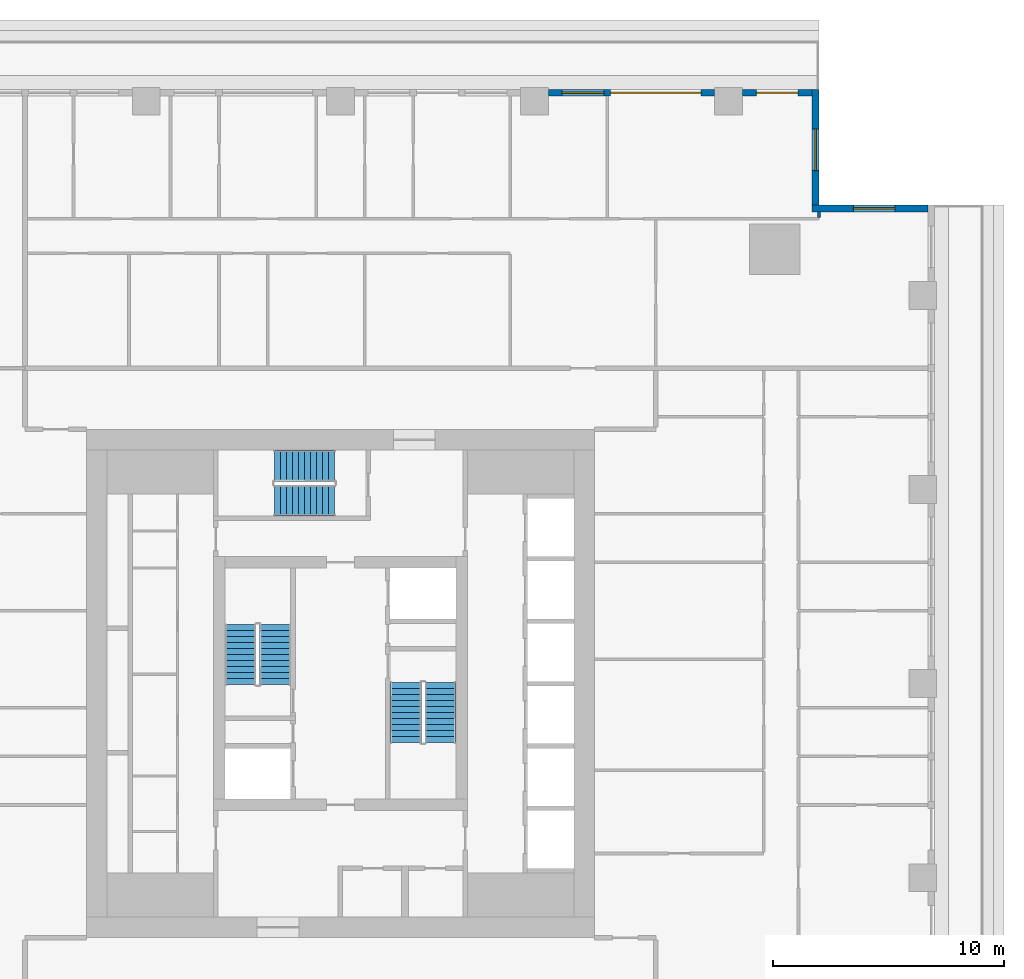
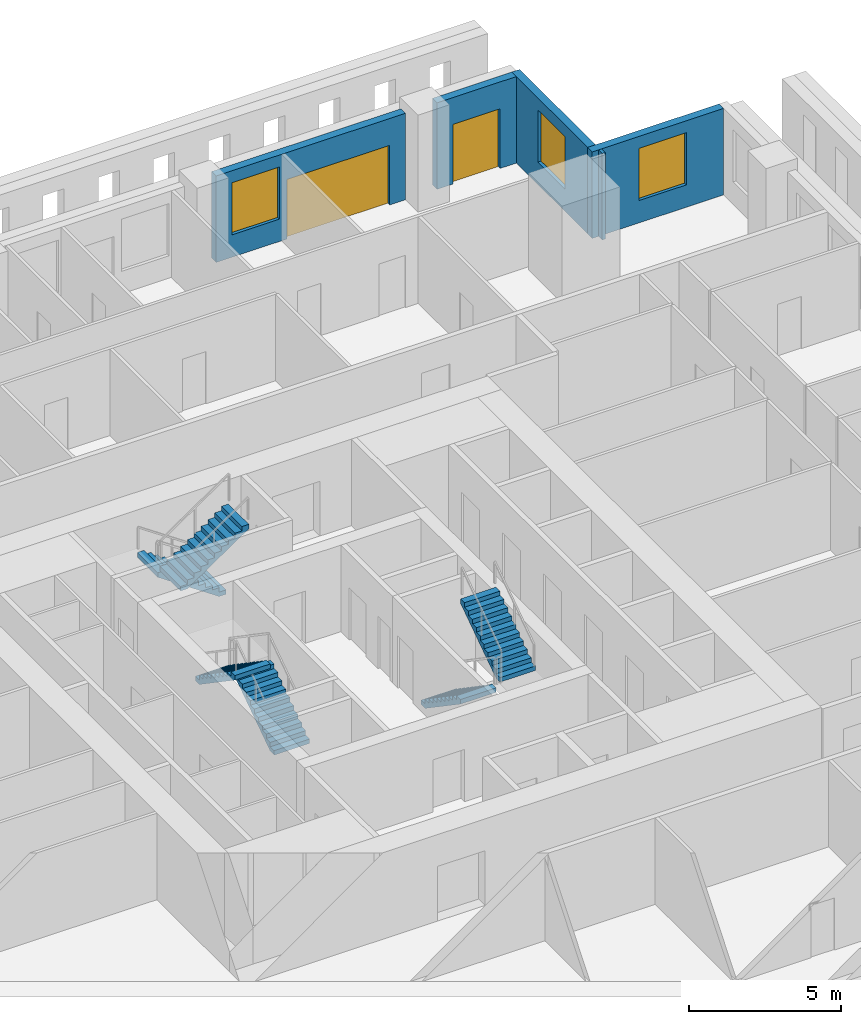
# One storey, part 9 of 14: 6 stair flights, 5 walls, 3 windows, 2 doors, 5 openings, 3 elements without a shape of their own.
"""IFC4 building model written with IfcOpenShell, lengths in metres."""

from ifc_helpers import new_model, si_unit, direction, frame, frame_2d, origin, place, context, subcontext, project, spatial, polyline, rectangle, outline, extrude, material, layer, layer_set, type_object, element, fill, aggregate, save


model = new_model("IFC4")

# Units and contexts
model_context = context("Model", 3, precision=1e-05, world=origin(), true_north=direction((0.0, 1.0)))
body_context = subcontext(model_context, "Body", "Model", "MODEL_VIEW")
ifc_project = project(units=[si_unit("LENGTHUNIT", "METRE"), si_unit("AREAUNIT", "SQUARE_METRE"), si_unit("VOLUMEUNIT", "CUBIC_METRE"), si_unit("PLANEANGLEUNIT", "RADIAN"), si_unit("MASSUNIT", "GRAM", prefix="KILO")], contexts=[model_context])

# Site, building, storey
site_placement = place(None, origin())
site = spatial("IfcSite", under=ifc_project, at=site_placement, CompositionType="ELEMENT")
building_placement = place(site_placement, origin())
building = spatial("IfcBuilding", under=site, at=building_placement, Name="Khepri Terraces", CompositionType="ELEMENT")
storey_placement = place(building_placement, frame((0.0, 0.0, 275.699951171875)))
storey = spatial("IfcBuildingStorey", under=building, at=storey_placement, Name="L66", CompositionType="ELEMENT", Elevation=275.699951171875)

# Wall, opening, window
ifc_material_1 = material(Name="Precast concrete C50/60 warm stone", Category="masonry")
ifc_layer_1 = layer(ifc_material_1, 0.300048828125, Name="Precast concrete C50/60 warm stone", Category="masonry")
ifc_layer_set_1 = layer_set([ifc_layer_1], Name="Precast concrete C50/60 warm stone")
wall_type_1 = type_object("IfcWallType", Name="WL-EXT-PRECAST-300", PredefinedType="STANDARD", material=ifc_layer_set_1)
wall_1_placement = place(storey_placement, frame((25.419921875, 20.570068359375, 0.0), z_axis=(0.0, 0.0, 1.0), x_axis=(-1.0, 0.0, 0.0)))
wall_1 = element("IfcWall", 1, at=wall_1_placement, inside=storey, type_object=wall_type_1, Name="External wall L66 N", PredefinedType="STANDARD", context=body_context, shape_type="SweptSolid", body=[
    extrude(rectangle(XDim=5.0, YDim=0.300048828125, at=frame_2d((2.5, 0.0))), origin(), (0.0, 0.0, 1.0), 3.47998046875),
])
opening_1_placement = place(wall_1_placement, frame((1.419921875, 0.0, 0.89990234375)))
opening_1 = element("IfcOpeningElement", 2, at=opening_1_placement, cuts=wall_1, Name="Opening W1", PredefinedType="OPENING", context=body_context, shape_type="SweptSolid", body=[
    extrude(rectangle(XDim=1.800048828125, YDim=2.10009765625, at=frame_2d((0.89990234375, 1.050048828125))), frame((0.0, 0.16015625, 0.0), z_axis=(0.0, -1.0, 0.0), x_axis=(1.0, 0.0, 0.0)), (0.0, 0.0, 1.0), 0.320068359375),
])
ifc_material_2 = material(Name="Clear glass", Category="glass")
window_type = type_object("IfcWindowType", Name="WIN-RES-1800x2100", PartitioningType="SINGLE_PANEL", PredefinedType="WINDOW", material=ifc_material_2)
window_1_placement = place(opening_1_placement, origin())
window_1 = element("IfcWindow", 3, at=window_1_placement, inside=storey, type_object=window_type, Name="Window L66 N", OverallHeight=2.10009765625, OverallWidth=1.800048828125, PartitioningType="SINGLE_PANEL", PredefinedType="WINDOW", context=body_context, shape_type="SweptSolid", body=[
    extrude(rectangle(XDim=1.800048828125, YDim=2.10009765625, at=frame_2d((0.89990234375, 1.050048828125))), frame((0.0, 0.030029296875, 0.0), z_axis=(0.0, -1.0, 0.0), x_axis=(1.0, 0.0, 0.0)), (0.0, 0.0, 1.0), 0.06005859375),
])
fill(opening_1, window_1)

wall_2_placement = place(storey_placement, frame((20.570068359375, 20.719970703125, 0.0), z_axis=(0.0, 0.0, 1.0), x_axis=(0.0, 1.0, 0.0)))
wall_2 = element("IfcWall", 4, at=wall_2_placement, inside=storey, type_object=wall_type_1, Name="External wall L66 E", PredefinedType="STANDARD", context=body_context, shape_type="SweptSolid", body=[
    extrude(rectangle(XDim=5.0, YDim=0.300048828125, at=frame_2d((2.5, 0.0))), origin(), (0.0, 0.0, 1.0), 3.47998046875),
])
opening_2_placement = place(wall_2_placement, frame((1.47998046875, 0.0, 0.89990234375)))
opening_2 = element("IfcOpeningElement", 5, at=opening_2_placement, cuts=wall_2, Name="Opening W1", PredefinedType="OPENING", context=body_context, shape_type="SweptSolid", body=[
    extrude(rectangle(XDim=1.800048828125, YDim=2.10009765625, at=frame_2d((0.89990234375, 1.050048828125))), frame((0.0, 0.16015625, 0.0), z_axis=(0.0, -1.0, 0.0), x_axis=(1.0, 0.0, 0.0)), (0.0, 0.0, 1.0), 0.320068359375),
])
window_2_placement = place(opening_2_placement, origin())
window_2 = element("IfcWindow", 6, at=window_2_placement, inside=storey, type_object=window_type, Name="Window L66 E", OverallHeight=2.10009765625, OverallWidth=1.800048828125, PartitioningType="SINGLE_PANEL", PredefinedType="WINDOW", context=body_context, shape_type="SweptSolid", body=[
    extrude(rectangle(XDim=1.800048828125, YDim=2.10009765625, at=frame_2d((0.89990234375, 1.050048828125))), frame((0.0, 0.030029296875, 0.0), z_axis=(0.0, -1.0, 0.0), x_axis=(1.0, 0.0, 0.0)), (0.0, 0.0, 1.0), 0.06005859375),
])
fill(opening_2, window_2)

# Wall, opening, door
wall_3_placement = place(storey_placement, frame((20.419921875, 25.570068359375, 0.0), z_axis=(0.0, 0.0, 1.0), x_axis=(-1.0, 0.0, 0.0)))
wall_3 = element("IfcWall", 7, at=wall_3_placement, inside=storey, type_object=wall_type_1, Name="External wall L66 N", PredefinedType="STANDARD", context=body_context, shape_type="SweptSolid", body=[
    extrude(rectangle(XDim=3.02001953125, YDim=0.300048828125, at=frame_2d((1.510009765625, 0.0))), origin(), (0.0, 0.0, 1.0), 3.47998046875),
])
opening_3_placement = place(wall_3_placement, frame((0.6201171875, 0.0, 0.0)))
opening_3 = element("IfcOpeningElement", 8, at=opening_3_placement, cuts=wall_3, Name="Opening ED-L66-05", PredefinedType="OPENING", context=body_context, shape_type="SweptSolid", body=[
    extrude(rectangle(XDim=1.800048828125, YDim=2.39990234375, at=frame_2d((0.89990234375, 1.199951171875))), frame((0.0, 0.16015625, 0.0), z_axis=(0.0, -1.0, 0.0), x_axis=(1.0, 0.0, 0.0)), (0.0, 0.0, 1.0), 0.320068359375),
])
ifc_material_3 = material(Name="Anodised aluminium bronze glazed door", Category="aluminium")
door_type_1 = type_object("IfcDoorType", Name="DR-BAL-SLIDE-1800x2400", OperationType="NOTDEFINED", PredefinedType="DOOR", material=ifc_material_3)
door_1_placement = place(opening_3_placement, origin())
door_1 = element("IfcDoor", 9, at=door_1_placement, inside=storey, type_object=door_type_1, Name="Balcony door L66 N", OperationType="SLIDING_TO_RIGHT", OverallHeight=2.39990234375, OverallWidth=1.800048828125, PredefinedType="DOOR", context=body_context, shape_type="SweptSolid", body=[
    extrude(rectangle(XDim=1.800048828125, YDim=2.39990234375, at=frame_2d((0.89990234375, 1.199951171875))), frame((0.0, 0.02490234375, 0.0), z_axis=(0.0, -1.0, 0.0), x_axis=(1.0, 0.0, 0.0)), (0.0, 0.0, 1.0), 0.050048828125),
])
fill(opening_3, door_1)

# Wall, openings, door, window
wall_4_placement = place(storey_placement, frame((16.199951171875, 25.570068359375, 0.0), z_axis=(0.0, 0.0, 1.0), x_axis=(-1.0, 0.0, 0.0)))
wall_4 = element("IfcWall", 10, at=wall_4_placement, inside=storey, type_object=wall_type_1, Name="External wall L66 N", PredefinedType="STANDARD", context=body_context, shape_type="SweptSolid", body=[
    extrude(rectangle(XDim=7.199951171875, YDim=0.300048828125, at=frame_2d((3.60009765625, 0.0))), origin(), (0.0, 0.0, 1.0), 3.47998046875),
])
opening_4_placement = place(wall_4_placement, frame((0.60009765625, 0.0, 0.0)))
opening_4 = element("IfcOpeningElement", 11, at=opening_4_placement, cuts=wall_4, Name="Opening ED-L66-06", PredefinedType="OPENING", context=body_context, shape_type="SweptSolid", body=[
    extrude(rectangle(XDim=3.89990234375, YDim=2.39990234375, at=frame_2d((1.949951171875, 1.199951171875))), frame((0.0, 0.16015625, 0.0), z_axis=(0.0, -1.0, 0.0), x_axis=(1.0, 0.0, 0.0)), (0.0, 0.0, 1.0), 0.320068359375),
])
opening_5_placement = place(wall_4_placement, frame((4.800048828125, 0.0, 0.89990234375)))
opening_5 = element("IfcOpeningElement", 12, at=opening_5_placement, cuts=wall_4, Name="Opening W1", PredefinedType="OPENING", context=body_context, shape_type="SweptSolid", body=[
    extrude(rectangle(XDim=1.800048828125, YDim=2.10009765625, at=frame_2d((0.89990234375, 1.050048828125))), frame((0.0, 0.16015625, 0.0), z_axis=(0.0, -1.0, 0.0), x_axis=(1.0, 0.0, 0.0)), (0.0, 0.0, 1.0), 0.320068359375),
])
door_type_2 = type_object("IfcDoorType", Name="DR-BAL-SLIDE-3900x2400", OperationType="NOTDEFINED", PredefinedType="DOOR", material=ifc_material_3)
door_2_placement = place(opening_4_placement, origin())
door_2 = element("IfcDoor", 13, at=door_2_placement, inside=storey, type_object=door_type_2, Name="Balcony door L66 N", OperationType="SLIDING_TO_LEFT", OverallHeight=2.39990234375, OverallWidth=3.89990234375, PredefinedType="DOOR", context=body_context, shape_type="SweptSolid", body=[
    extrude(rectangle(XDim=3.89990234375, YDim=2.39990234375, at=frame_2d((1.949951171875, 1.199951171875))), frame((0.0, 0.02490234375, 0.0), z_axis=(0.0, -1.0, 0.0), x_axis=(1.0, 0.0, 0.0)), (0.0, 0.0, 1.0), 0.050048828125),
])
fill(opening_4, door_2)
window_3_placement = place(opening_5_placement, origin())
window_3 = element("IfcWindow", 14, at=window_3_placement, inside=storey, type_object=window_type, Name="Window L66 N", OverallHeight=2.10009765625, OverallWidth=1.800048828125, PartitioningType="SINGLE_PANEL", PredefinedType="WINDOW", context=body_context, shape_type="SweptSolid", body=[
    extrude(rectangle(XDim=1.800048828125, YDim=2.10009765625, at=frame_2d((0.89990234375, 1.050048828125))), frame((0.0, 0.030029296875, 0.0), z_axis=(0.0, -1.0, 0.0), x_axis=(1.0, 0.0, 0.0)), (0.0, 0.0, 1.0), 0.06005859375),
])
fill(opening_5, window_3)

# Wall
ifc_material_4 = material(Name="Gypsum plasterboard partition")
ifc_layer_2 = layer(ifc_material_4, 0.1201171875, Name="Gypsum plasterboard partition")
ifc_layer_set_2 = layer_set([ifc_layer_2], Name="Gypsum plasterboard partition")
wall_type_2 = type_object("IfcWallType", Name="WL-PART-120", PredefinedType="PARTITIONING", material=ifc_layer_set_2)
wall_5_placement = place(storey_placement, frame((20.718994140625, 20.179931640625, 0.0), z_axis=(0.0, 0.0, 1.0), x_axis=(0.0, 1.0, 0.0)))
element("IfcWall", 15, at=wall_5_placement, inside=storey, type_object=wall_type_2, Name="Partition P-099 L66", PredefinedType="PARTITIONING", context=body_context, shape_type="SweptSolid", body=[
    extrude(rectangle(XDim=0.240966796875, YDim=0.1201171875, at=frame_2d((0.12060546875, 0.0))), origin(), (0.0, 0.0, 1.0), 3.47998046875),
])

# Stair, stair flights
ifc_material_5 = material(Name="Concrete C40/50", Category="concrete")
stair_type = type_object("IfcStairType", Name="STAIR-RC-22R", PredefinedType="HALF_TURN_STAIR", material=ifc_material_5)
stair_1_placement = place(storey_placement, origin())
stair_1 = element("IfcStair", 16, at=stair_1_placement, inside=storey, type_object=stair_type, Name="L66 Exit Stair ST-1", PredefinedType="HALF_TURN_STAIR")
stair_flight_type = type_object("IfcStairFlightType", Name="SFL-RC-177.3", PredefinedType="STRAIGHT", material=ifc_material_5)
stair_flight_1_placement = place(storey_placement, frame((-2.824951171875, -0.050048828125, 0.0), z_axis=(0.0, 0.0, 1.0), x_axis=(0.0, 1.0, 0.0)))
stair_flight_1 = element("IfcStairFlight", 17, at=stair_flight_1_placement, type_object=stair_flight_type, Name="ST-1 flight 1", NumberOfRisers=11, NumberOfTreads=10, PredefinedType="STRAIGHT", RiserHeight=0.177272727, TreadLength=0.26, context=body_context, shape_type="SweptSolid", body=[
    extrude(outline(polyline([(0.0, 0.0), (0.0, 0.17724609375), (0.260009765625, 0.17724609375), (0.260009765625, 0.3544921875), (0.52001953125, 0.3544921875), (0.52001953125, 0.53173828125), (0.780029296875, 0.53173828125), (0.780029296875, 0.708984375), (1.0400390625, 0.708984375), (1.0400390625, 0.886474609375), (1.300048828125, 0.886474609375), (1.300048828125, 1.063720703125), (1.56005859375, 1.063720703125), (1.56005859375, 1.240966796875), (1.820068359375, 1.240966796875), (1.820068359375, 1.418212890625), (2.080078125, 1.418212890625), (2.080078125, 1.595458984375), (2.340087890625, 1.595458984375), (2.340087890625, 1.772705078125), (2.60009765625, 1.772705078125), (2.60009765625, 1.949951171875), (2.60009765625, 1.59130859375), (0.26611328125, 0.0), (0.0, 0.0)])), frame((0.0, 0.675048828125, 0.0), z_axis=(0.0, -1.0, 0.0), x_axis=(1.0, 0.0, 0.0)), (0.0, 0.0, 1.0), 1.35009765625),
])
stair_flight_2_placement = place(storey_placement, frame((-4.324951171875, 2.550048828125, 1.949951171875), z_axis=(0.0, 0.0, 1.0), x_axis=(0.0, -1.0, 0.0)))
stair_flight_2 = element("IfcStairFlight", 18, at=stair_flight_2_placement, type_object=stair_flight_type, Name="ST-1 flight 2", NumberOfRisers=11, NumberOfTreads=10, PredefinedType="STRAIGHT", RiserHeight=0.177272727, TreadLength=0.26, context=body_context, shape_type="SweptSolid", body=[
    extrude(outline(polyline([(0.0, 0.0), (0.0, 0.17724609375), (0.260009765625, 0.17724609375), (0.260009765625, 0.3544921875), (0.52001953125, 0.3544921875), (0.52001953125, 0.53173828125), (0.780029296875, 0.53173828125), (0.780029296875, 0.708984375), (1.0400390625, 0.708984375), (1.0400390625, 0.886474609375), (1.300048828125, 0.886474609375), (1.300048828125, 1.063720703125), (1.56005859375, 1.063720703125), (1.56005859375, 1.240966796875), (1.820068359375, 1.240966796875), (1.820068359375, 1.418212890625), (2.080078125, 1.418212890625), (2.080078125, 1.595458984375), (2.340087890625, 1.595458984375), (2.340087890625, 1.772705078125), (2.60009765625, 1.772705078125), (2.60009765625, 1.949951171875), (2.60009765625, 1.59130859375), (0.26611328125, 0.0), (0.0, 0.0)])), frame((0.0, 0.675048828125, 0.0), z_axis=(0.0, -1.0, 0.0), x_axis=(1.0, 0.0, 0.0)), (0.0, 0.0, 1.0), 1.35009765625),
])
aggregate(stair_1, [stair_flight_1, stair_flight_2])

stair_2_placement = place(storey_placement, origin())
stair_2 = element("IfcStair", 19, at=stair_2_placement, inside=storey, type_object=stair_type, Name="L66 Exit Stair ST-2", PredefinedType="HALF_TURN_STAIR")
stair_flight_3_placement = place(storey_placement, frame((2.824951171875, 0.050048828125, 0.0), z_axis=(0.0, 0.0, 1.0), x_axis=(0.0, -1.0, 0.0)))
stair_flight_3 = element("IfcStairFlight", 20, at=stair_flight_3_placement, type_object=stair_flight_type, Name="ST-2 flight 1", NumberOfRisers=11, NumberOfTreads=10, PredefinedType="STRAIGHT", RiserHeight=0.177272727, TreadLength=0.26, context=body_context, shape_type="SweptSolid", body=[
    extrude(outline(polyline([(0.0, 0.0), (0.0, 0.17724609375), (0.260009765625, 0.17724609375), (0.260009765625, 0.3544921875), (0.52001953125, 0.3544921875), (0.52001953125, 0.53173828125), (0.780029296875, 0.53173828125), (0.780029296875, 0.708984375), (1.0400390625, 0.708984375), (1.0400390625, 0.886474609375), (1.300048828125, 0.886474609375), (1.300048828125, 1.063720703125), (1.56005859375, 1.063720703125), (1.56005859375, 1.240966796875), (1.820068359375, 1.240966796875), (1.820068359375, 1.418212890625), (2.080078125, 1.418212890625), (2.080078125, 1.595458984375), (2.340087890625, 1.595458984375), (2.340087890625, 1.772705078125), (2.60009765625, 1.772705078125), (2.60009765625, 1.949951171875), (2.60009765625, 1.59130859375), (0.26611328125, 0.0), (0.0, 0.0)])), frame((0.0, 0.675048828125, 0.0), z_axis=(0.0, -1.0, 0.0), x_axis=(1.0, 0.0, 0.0)), (0.0, 0.0, 1.0), 1.35009765625),
])
stair_flight_4_placement = place(storey_placement, frame((4.324951171875, -2.550048828125, 1.949951171875), z_axis=(0.0, 0.0, 1.0), x_axis=(0.0, 1.0, 0.0)))
stair_flight_4 = element("IfcStairFlight", 21, at=stair_flight_4_placement, type_object=stair_flight_type, Name="ST-2 flight 2", NumberOfRisers=11, NumberOfTreads=10, PredefinedType="STRAIGHT", RiserHeight=0.177272727, TreadLength=0.26, context=body_context, shape_type="SweptSolid", body=[
    extrude(outline(polyline([(0.0, 0.0), (0.0, 0.17724609375), (0.260009765625, 0.17724609375), (0.260009765625, 0.3544921875), (0.52001953125, 0.3544921875), (0.52001953125, 0.53173828125), (0.780029296875, 0.53173828125), (0.780029296875, 0.708984375), (1.0400390625, 0.708984375), (1.0400390625, 0.886474609375), (1.300048828125, 0.886474609375), (1.300048828125, 1.063720703125), (1.56005859375, 1.063720703125), (1.56005859375, 1.240966796875), (1.820068359375, 1.240966796875), (1.820068359375, 1.418212890625), (2.080078125, 1.418212890625), (2.080078125, 1.595458984375), (2.340087890625, 1.595458984375), (2.340087890625, 1.772705078125), (2.60009765625, 1.772705078125), (2.60009765625, 1.949951171875), (2.60009765625, 1.59130859375), (0.26611328125, 0.0), (0.0, 0.0)])), frame((0.0, 0.675048828125, 0.0), z_axis=(0.0, -1.0, 0.0), x_axis=(1.0, 0.0, 0.0)), (0.0, 0.0, 1.0), 1.35009765625),
])
aggregate(stair_2, [stair_flight_3, stair_flight_4])

stair_3_placement = place(storey_placement, origin())
stair_3 = element("IfcStair", 22, at=stair_3_placement, inside=storey, type_object=stair_type, Name="L66 Exit Stair ST-3", PredefinedType="HALF_TURN_STAIR")
stair_flight_5_placement = place(storey_placement, frame((-0.25, 9.425048828125, 0.0), z_axis=(0.0, 0.0, 1.0), x_axis=(-1.0, 0.0, 0.0)))
stair_flight_5 = element("IfcStairFlight", 23, at=stair_flight_5_placement, type_object=stair_flight_type, Name="ST-3 flight 1", NumberOfRisers=11, NumberOfTreads=10, PredefinedType="STRAIGHT", RiserHeight=0.177272727, TreadLength=0.26, context=body_context, shape_type="SweptSolid", body=[
    extrude(outline(polyline([(0.0, 0.0), (0.0, 0.17724609375), (0.260009765625, 0.17724609375), (0.260009765625, 0.3544921875), (0.52001953125, 0.3544921875), (0.52001953125, 0.53173828125), (0.780029296875, 0.53173828125), (0.780029296875, 0.708984375), (1.0400390625, 0.708984375), (1.0400390625, 0.886474609375), (1.300048828125, 0.886474609375), (1.300048828125, 1.063720703125), (1.56005859375, 1.063720703125), (1.56005859375, 1.240966796875), (1.820068359375, 1.240966796875), (1.820068359375, 1.418212890625), (2.080078125, 1.418212890625), (2.080078125, 1.595458984375), (2.340087890625, 1.595458984375), (2.340087890625, 1.772705078125), (2.60009765625, 1.772705078125), (2.60009765625, 1.949951171875), (2.60009765625, 1.59130859375), (0.26611328125, 0.0), (0.0, 0.0)])), frame((0.0, 0.675048828125, 0.0), z_axis=(0.0, -1.0, 0.0), x_axis=(1.0, 0.0, 0.0)), (0.0, 0.0, 1.0), 1.35009765625),
])
stair_flight_6_placement = place(storey_placement, frame((-2.85009765625, 7.925048828125, 1.949951171875), z_axis=(0.0, 0.0, 1.0), x_axis=(1.0, 0.0, 0.0)))
stair_flight_6 = element("IfcStairFlight", 24, at=stair_flight_6_placement, type_object=stair_flight_type, Name="ST-3 flight 2", NumberOfRisers=11, NumberOfTreads=10, PredefinedType="STRAIGHT", RiserHeight=0.177272727, TreadLength=0.26, context=body_context, shape_type="SweptSolid", body=[
    extrude(outline(polyline([(0.0, 0.0), (0.0, 0.17724609375), (0.260009765625, 0.17724609375), (0.260009765625, 0.3544921875), (0.52001953125, 0.3544921875), (0.52001953125, 0.53173828125), (0.780029296875, 0.53173828125), (0.780029296875, 0.708984375), (1.0400390625, 0.708984375), (1.0400390625, 0.886474609375), (1.300048828125, 0.886474609375), (1.300048828125, 1.063720703125), (1.56005859375, 1.063720703125), (1.56005859375, 1.240966796875), (1.820068359375, 1.240966796875), (1.820068359375, 1.418212890625), (2.080078125, 1.418212890625), (2.080078125, 1.595458984375), (2.340087890625, 1.595458984375), (2.340087890625, 1.772705078125), (2.60009765625, 1.772705078125), (2.60009765625, 1.949951171875), (2.60009765625, 1.59130859375), (0.26611328125, 0.0), (0.0, 0.0)])), frame((0.0, 0.675048828125, 0.0), z_axis=(0.0, -1.0, 0.0), x_axis=(1.0, 0.0, 0.0)), (0.0, 0.0, 1.0), 1.35009765625),
])
aggregate(stair_3, [stair_flight_5, stair_flight_6])

save(model, "model.ifc")
